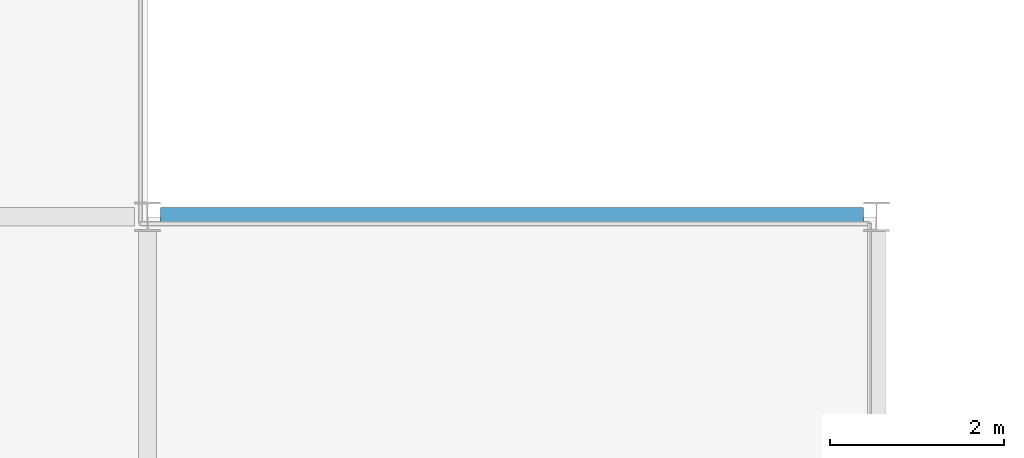
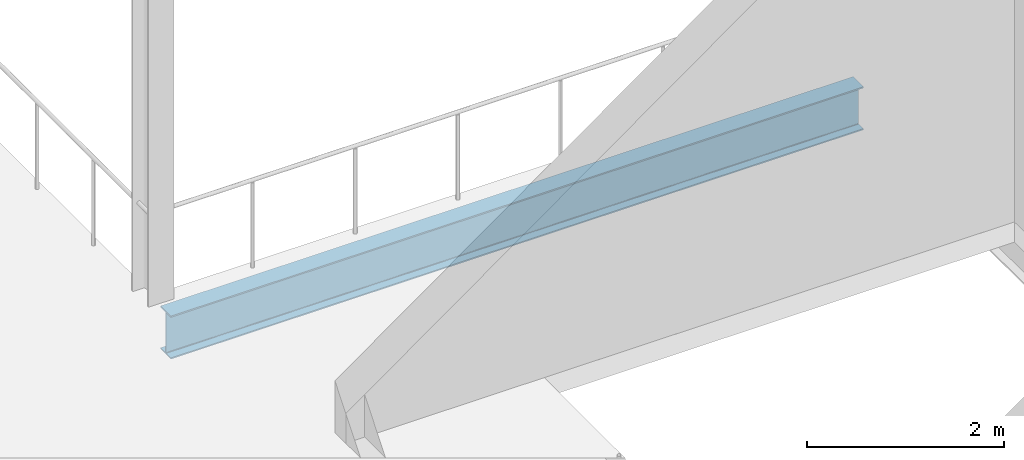
# One storey, part 13 of 68: 1 beam.
"""IFC4 building model written with IfcOpenShell, lengths in metres."""

from ifc_helpers import new_model, si_unit, direction, frame, origin, origin_2d, place, context, subcontext, project, spatial, i_section, extrude, material, material_profile, profile_set, type_object, element, save


model = new_model("IFC4")

# Units and contexts
model_context = context("Model", 3, precision=1e-05, world=origin(), true_north=direction((0.0, 1.0)))
body_context = subcontext(model_context, "Body", "Model", "MODEL_VIEW")
ifc_project = project(units=[si_unit("LENGTHUNIT", "METRE"), si_unit("AREAUNIT", "SQUARE_METRE"), si_unit("VOLUMEUNIT", "CUBIC_METRE"), si_unit("PLANEANGLEUNIT", "RADIAN"), si_unit("MASSUNIT", "GRAM", prefix="KILO"), si_unit("THERMODYNAMICTEMPERATUREUNIT", "KELVIN")], contexts=[model_context])

# Site, building, storey
site_placement = place(None, origin())
site = spatial("IfcSite", under=ifc_project, at=site_placement, CompositionType="ELEMENT")
building_placement = place(site_placement, origin())
building = spatial("IfcBuilding", under=site, at=building_placement, Name="Nduvali Passage Aquatics Centre", CompositionType="ELEMENT")
storey_placement = place(building_placement, frame((0.0, 0.0, 13.199951171875)))
storey = spatial("IfcBuildingStorey", under=building, at=storey_placement, Name="L03", CompositionType="ELEMENT", Elevation=13.199951171875)

# Beam
ifc_material = material(Name="Steel S355", Category="steel")
ifc_material_profile = material_profile(ifc_material, i_section(OverallWidth=0.209228515625, OverallDepth=0.533203125, WebThickness=0.010009765625, FlangeThickness=0.015625, FilletRadius=0.0126953125, at=origin_2d()), Name="UKB 533x210x92")
ifc_profile_set = profile_set([ifc_material_profile], Name="Steel S355")
beam_type = type_object("IfcBeamType", Name="STR-BM-UKB533L", PredefinedType="BEAM", material=ifc_profile_set)
beam_placement = place(storey_placement, frame((8.550048828125, 42.0, -0.5205078125), z_axis=(1.0, 0.0, 0.0), x_axis=(0.0, 1.0, 0.0)))
element("IfcBeam", 1, at=beam_placement, inside=storey, type_object=beam_type, Name="L03 Primary X-Girder B6A-1209", PredefinedType="BEAM", context=body_context, shape_type="SweptSolid", body=[
    extrude(i_section(OverallWidth=0.209228515625, OverallDepth=0.533203125, WebThickness=0.010009765625, FlangeThickness=0.015625, FilletRadius=0.0126953125, at=origin_2d()), origin(), (0.0, 0.0, 1.0), 8.099853515625),
])

save(model, "model.ifc")
